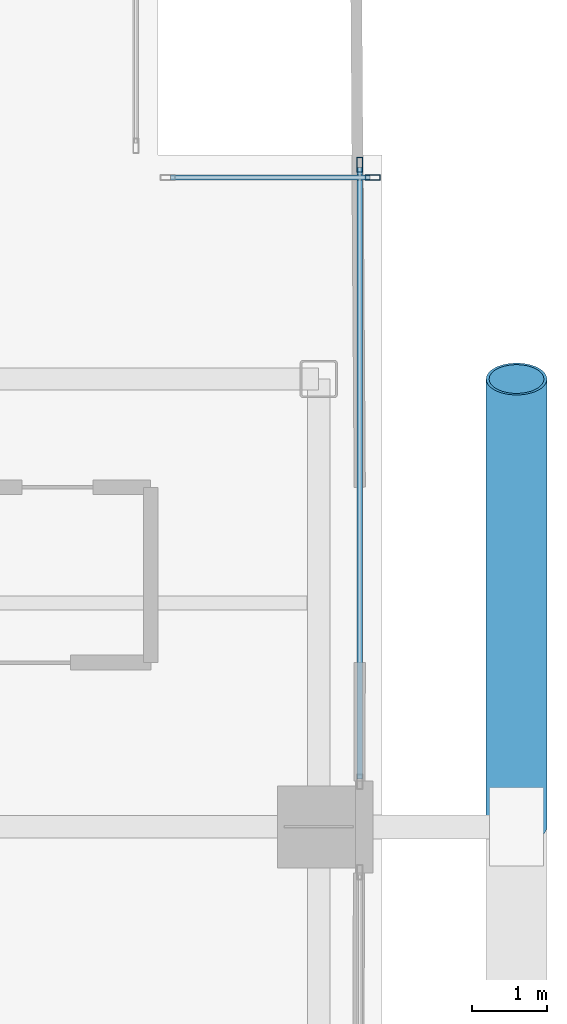
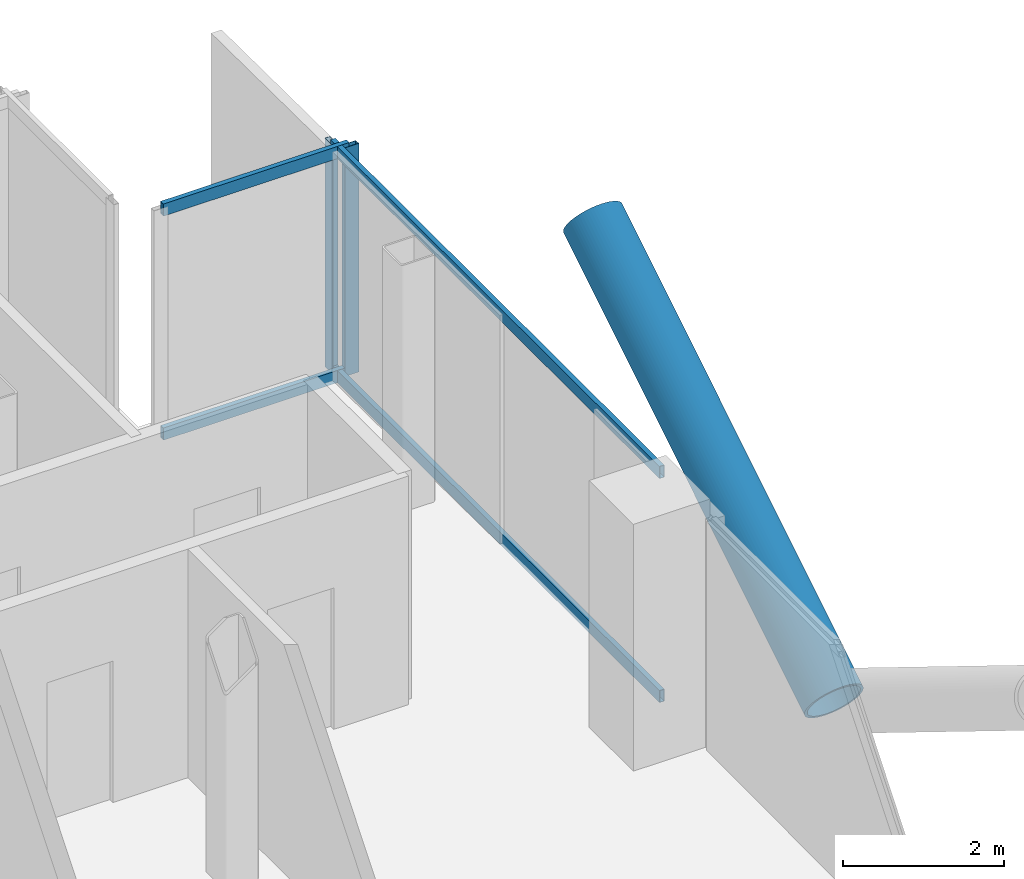
# One storey, part 14 of 28: 7 members, 2 elements without a shape of their own.
"""IFC4 building model written with IfcOpenShell, lengths in metres."""

from ifc_helpers import new_model, si_unit, direction, frame, origin, origin_2d, place, context, subcontext, project, spatial, hollow_rectangle, hollow_circle, extrude, material, layer, layer_set, material_profile, profile_set, type_object, element, aggregate, save


model = new_model("IFC4")

# Units and contexts
model_context = context("Model", 3, precision=1e-05, world=origin(), true_north=direction((0.0, 1.0)))
body_context = subcontext(model_context, "Body", "Model", "MODEL_VIEW")
ifc_project = project(units=[si_unit("LENGTHUNIT", "METRE"), si_unit("AREAUNIT", "SQUARE_METRE"), si_unit("VOLUMEUNIT", "CUBIC_METRE"), si_unit("PLANEANGLEUNIT", "RADIAN"), si_unit("MASSUNIT", "GRAM", prefix="KILO"), si_unit("THERMODYNAMICTEMPERATUREUNIT", "KELVIN"), si_unit("POWERUNIT", "WATT")], contexts=[model_context])

# Site, building, storey
site_placement = place(None, origin())
site = spatial("IfcSite", under=ifc_project, at=site_placement, CompositionType="ELEMENT")
building_placement = place(site_placement, origin())
building = spatial("IfcBuilding", under=site, at=building_placement, Name="Svarakhadi Broadcast Tower", CompositionType="ELEMENT")
storey_placement = place(building_placement, frame((0.0, 0.0, 107.10009765625)))
storey = spatial("IfcBuildingStorey", under=building, at=storey_placement, Name="L25", CompositionType="ELEMENT", Elevation=107.10009765625)

# Curtain wall, member
ifc_material_1 = material(Name="Anodised Bronze Aluminium AA 6063-T6", Category="aluminium")
ifc_layer = layer(ifc_material_1, 0.199951171875)
ifc_layer_set = layer_set([ifc_layer], Name="Anodised Bronze Aluminium AA 6063-T6")
curtain_wall_type = type_object("IfcCurtainWallType", Name="CW_Sys_03", PredefinedType="NOTDEFINED", material=ifc_layer_set)
curtain_wall_1_placement = place(storey_placement, origin())
curtain_wall_1 = element("IfcCurtainWall", 1, at=curtain_wall_1_placement, inside=storey, type_object=curtain_wall_type, Name="L25 Unitised Facade Curtain Wall 12", PredefinedType="NOTDEFINED")
ifc_material_profile_1 = material_profile(ifc_material_1, hollow_rectangle(XDim=0.074951171875, YDim=0.199951171875, WallThickness=0.005615234375, at=origin_2d()), Name="ALU MULLION 200x75x6")
ifc_profile_set_1 = profile_set([ifc_material_profile_1], Name="Anodised Bronze Aluminium AA 6063-T6")
member_type_1 = type_object("IfcMemberType", Name="CW_Sys_03_Mul", PredefinedType="MULLION", material=ifc_profile_set_1)
member_1_placement = place(storey_placement, frame((47.87255859375, 20.699951171875, 0.0), z_axis=(0.0, 0.0, 1.0), x_axis=(0.0, 1.0, 0.0)))
member_1 = element("IfcMember", 2, at=member_1_placement, type_object=member_type_1, Name="CW-03 mullion 2", PredefinedType="MULLION", context=body_context, shape_type="SweptSolid", body=[
    extrude(hollow_rectangle(XDim=0.074951171875, YDim=0.199951171875, WallThickness=0.005615234375, at=origin_2d()), origin(), (0.0, 0.0, 1.0), 3.474853515625),
])

curtain_wall_2_placement = place(storey_placement, origin())
curtain_wall_2 = element("IfcCurtainWall", 3, at=curtain_wall_2_placement, inside=storey, type_object=curtain_wall_type, Name="L25 Unitised Facade Curtain Wall 13 Bay 1", PredefinedType="NOTDEFINED")
member_2_placement = place(storey_placement, frame((47.699951171875, 20.87255859375, 0.0), z_axis=(0.0, 0.0, 1.0), x_axis=(1.0, 0.0, 0.0)))
member_2 = element("IfcMember", 4, at=member_2_placement, type_object=member_type_1, Name="CW-03 mullion 1", PredefinedType="MULLION", context=body_context, shape_type="SweptSolid", body=[
    extrude(hollow_rectangle(XDim=0.074951171875, YDim=0.199951171875, WallThickness=0.005615234375, at=origin_2d()), origin(), (0.0, 0.0, 1.0), 3.474853515625),
])

# Member
ifc_material_profile_2 = material_profile(ifc_material_1, hollow_rectangle(XDim=0.070068359375, YDim=0.18505859375, WallThickness=0.0048828125, at=origin_2d()), Name="ALU TRANSOM 185x70x5")
ifc_profile_set_2 = profile_set([ifc_material_profile_2], Name="Anodised Bronze Aluminium AA 6063-T6")
member_type_2 = type_object("IfcMemberType", Name="CW_Sys_03_Trn", PredefinedType="USERDEFINED", material=ifc_profile_set_2)
member_3_placement = place(storey_placement, frame((45.1650390625, 20.699951171875, 0.034912109375), z_axis=(1.0, 0.0, 0.0), x_axis=(0.0, 1.0, 0.0)))
member_3 = element("IfcMember", 5, at=member_3_placement, type_object=member_type_2, Name="CW-03 transom 1.1", ObjectType="TRANSOM", PredefinedType="USERDEFINED", context=body_context, shape_type="SweptSolid", body=[
    extrude(hollow_rectangle(XDim=0.070068359375, YDim=0.18505859375, WallThickness=0.0048828125, at=origin_2d()), origin(), (0.0, 0.0, 1.0), 2.669921875),
])

member_4_placement = place(storey_placement, frame((45.1650390625, 20.699951171875, 3.43994140625), z_axis=(1.0, 0.0, 0.0), x_axis=(0.0, 1.0, 0.0)))
member_4 = element("IfcMember", 6, at=member_4_placement, type_object=member_type_2, Name="CW-03 transom 1.2", ObjectType="TRANSOM", PredefinedType="USERDEFINED", context=body_context, shape_type="SweptSolid", body=[
    extrude(hollow_rectangle(XDim=0.070068359375, YDim=0.18505859375, WallThickness=0.0048828125, at=origin_2d()), origin(), (0.0, 0.0, 1.0), 2.669921875),
])

aggregate(curtain_wall_1, [member_1, member_3, member_4])

member_5_placement = place(storey_placement, frame((47.699951171875, 20.8349609375, 0.034912109375), z_axis=(0.0, -1.0, 0.0), x_axis=(1.0, 0.0, 0.0)))
member_5 = element("IfcMember", 7, at=member_5_placement, type_object=member_type_2, Name="CW-03 transom 1.1", ObjectType="TRANSOM", PredefinedType="USERDEFINED", context=body_context, shape_type="SweptSolid", body=[
    extrude(hollow_rectangle(XDim=0.070068359375, YDim=0.18505859375, WallThickness=0.0048828125, at=origin_2d()), origin(), (0.0, 0.0, 1.0), 8.18994140625),
])

member_6_placement = place(storey_placement, frame((47.699951171875, 20.8349609375, 3.43994140625), z_axis=(0.0, -1.0, 0.0), x_axis=(1.0, 0.0, 0.0)))
member_6 = element("IfcMember", 8, at=member_6_placement, type_object=member_type_2, Name="CW-03 transom 1.2", ObjectType="TRANSOM", PredefinedType="USERDEFINED", context=body_context, shape_type="SweptSolid", body=[
    extrude(hollow_rectangle(XDim=0.070068359375, YDim=0.18505859375, WallThickness=0.0048828125, at=origin_2d()), origin(), (0.0, 0.0, 1.0), 8.18994140625),
])

aggregate(curtain_wall_2, [member_2, member_5, member_6])

ifc_material_2 = material(Name="Steel S460ML (IS 2062 E450BR)", Category="steel")
ifc_material_profile_3 = material_profile(ifc_material_2, hollow_circle(Radius=0.406494140625, WallThickness=0.0400390625, at=origin_2d()), Name="CHS 813x40")
ifc_profile_set_3 = profile_set([ifc_material_profile_3], Name="Steel S460ML (IS 2062 E450BR)")
member_type_3 = type_object("IfcMemberType", Name="Exo_Brace_CHS813", PredefinedType="BRACE", material=ifc_profile_set_3)
member_7_placement = place(storey_placement, frame((49.800048828125, 12.0, -0.386962890625), z_axis=(0.0, 0.851173964427, 0.524883684525), x_axis=(-1.0, 0.0, 0.0)))
element("IfcMember", 9, at=member_7_placement, inside=storey, type_object=member_type_3, Name="L25 Exposed Bronze Exoskeleton Diagonal E09", PredefinedType="BRACE", context=body_context, shape_type="SweptSolid", body=[
    extrude(hollow_circle(Radius=0.406494140625, WallThickness=0.0400390625, at=origin_2d()), origin(), (0.0, 0.0, 1.0), 7.049072265625),
])

save(model, "model.ifc")
